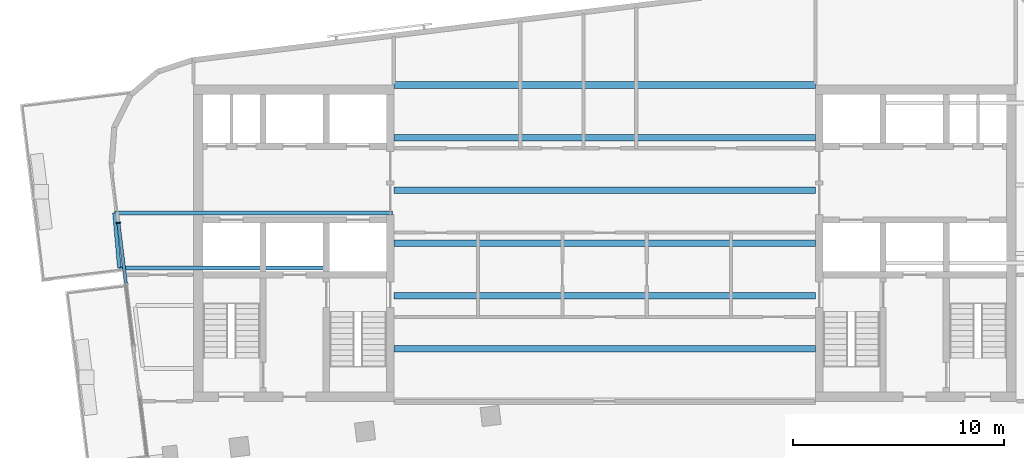
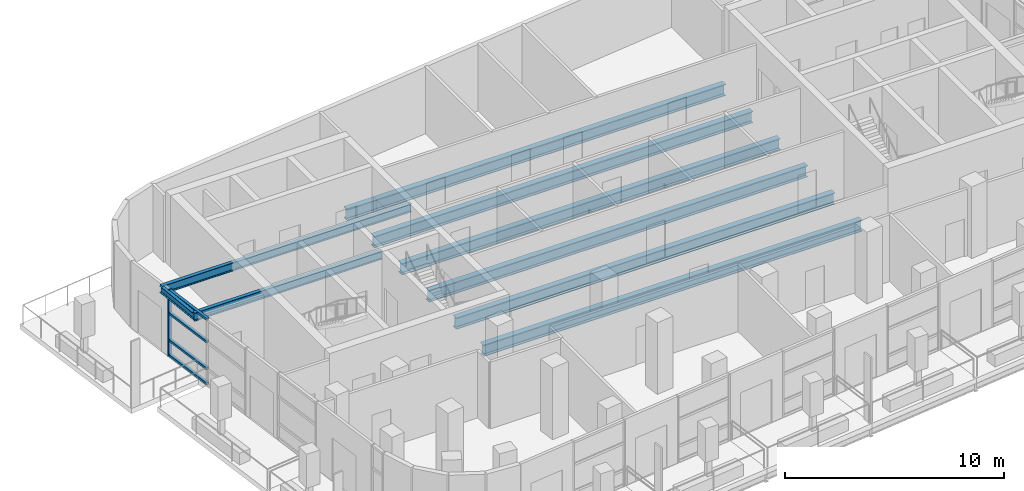
# One storey, part 3 of 14: 9 beams, 5 members, 1 element without a shape of its own.
"""IFC4 building model written with IfcOpenShell, lengths in metres."""

from ifc_helpers import new_model, si_unit, direction, frame, origin, origin_2d, place, context, subcontext, project, spatial, rectangle, i_section, extrude, material, layer, layer_set, material_profile, profile_set, type_object, element, aggregate, save


model = new_model("IFC4")

# Units and contexts
model_context = context("Model", 3, precision=1e-05, world=origin(), true_north=direction((0.0, 1.0)))
body_context = subcontext(model_context, "Body", "Model", "MODEL_VIEW")
ifc_project = project(units=[si_unit("LENGTHUNIT", "METRE"), si_unit("AREAUNIT", "SQUARE_METRE"), si_unit("VOLUMEUNIT", "CUBIC_METRE"), si_unit("PLANEANGLEUNIT", "RADIAN"), si_unit("MASSUNIT", "GRAM", prefix="KILO")], contexts=[model_context])

# Site, building, storey
site_placement = place(None, origin())
site = spatial("IfcSite", under=ifc_project, at=site_placement, CompositionType="ELEMENT")
building_placement = place(site_placement, origin())
building = spatial("IfcBuilding", under=site, at=building_placement, Name="Torana Hotel and Residences", CompositionType="ELEMENT")
storey_placement = place(building_placement, frame((0.0, 0.0, 338.60009765625)))
storey = spatial("IfcBuildingStorey", under=building, at=storey_placement, Name="L89", CompositionType="ELEMENT", Elevation=338.60009765625)

# Beams
ifc_material_1 = material(Name="Steel S355", Category="steel")
ifc_material_profile_1 = material_profile(ifc_material_1, i_section(OverallWidth=0.19287109375, OverallDepth=0.46728515625, WebThickness=0.011474609375, FlangeThickness=0.01953125, FilletRadius=0.01025390625, at=origin_2d()), Name="457x191x98 UB")
ifc_profile_set_1 = profile_set([ifc_material_profile_1], Name="Steel S355")
beam_type_1 = type_object("IfcBeamType", Name="BALCONY CANTILEVER BEAM 457x191x98 UB", PredefinedType="BEAM", material=ifc_profile_set_1)
beam_1_placement = place(storey_placement, frame((-23.013916015625, -8.669921875, 3.486328125), z_axis=(1.0, 0.0, 0.0), x_axis=(0.0, 1.0, 0.0)))
element("IfcBeam", 1, at=beam_1_placement, inside=storey, type_object=beam_type_1, Name="Balcony cantilever beam", PredefinedType="BEAM", context=body_context, shape_type="SweptSolid", body=[
    extrude(i_section(OverallWidth=0.19287109375, OverallDepth=0.46728515625, WebThickness=0.011474609375, FlangeThickness=0.01953125, FilletRadius=0.01025390625, at=origin_2d()), origin(), (0.0, 0.0, 1.0), 9.913818359375),
])
beam_2_placement = place(storey_placement, frame((-23.2451171875, -6.070068359375, 3.486328125), z_axis=(1.0, 0.0, 0.0), x_axis=(0.0, 1.0, 0.0)))
element("IfcBeam", 2, at=beam_2_placement, inside=storey, type_object=beam_type_1, Name="Balcony cantilever beam", PredefinedType="BEAM", context=body_context, shape_type="SweptSolid", body=[
    extrude(i_section(OverallWidth=0.19287109375, OverallDepth=0.46728515625, WebThickness=0.011474609375, FlangeThickness=0.01953125, FilletRadius=0.01025390625, at=origin_2d()), origin(), (0.0, 0.0, 1.0), 13.195068359375),
])
ifc_material_2 = material(Name="Steel S355", Category="steel")
ifc_material_profile_2 = material_profile(ifc_material_2, i_section(OverallWidth=0.173095703125, OverallDepth=0.36328125, WebThickness=0.009033203125, FlangeThickness=0.015625, FilletRadius=0.01025390625, at=origin_2d()), Name="356x171x67 UB")
ifc_profile_set_2 = profile_set([ifc_material_profile_2], Name="Steel S355")
beam_type_2 = type_object("IfcBeamType", Name="BALCONY TIP BEAM 356x171x67 UB", PredefinedType="BEAM", material=ifc_profile_set_2)
beam_3_placement = place(storey_placement, frame((-23.013916015625, -8.669921875, 3.5380859375), z_axis=(-0.088578973765, 0.99606915694, 0.0), x_axis=(-0.99606915694, -0.088578973765, 0.0)))
element("IfcBeam", 3, at=beam_3_placement, inside=storey, type_object=beam_type_2, Name="Balcony tip beam", PredefinedType="BEAM", context=body_context, shape_type="SweptSolid", body=[
    extrude(i_section(OverallWidth=0.173095703125, OverallDepth=0.36328125, WebThickness=0.009033203125, FlangeThickness=0.015625, FilletRadius=0.01025390625, at=origin_2d()), origin(), (0.0, 0.0, 1.0), 2.610107421875),
])

# Curtain wall, members
ifc_material_3 = material(Name="Dark anodised aluminium", Category="aluminium")
ifc_layer = layer(ifc_material_3, 0.199951171875)
ifc_layer_set = layer_set([ifc_layer], Name="CW3 SKY CLUB UNITISED CURTAIN WALL")
curtain_wall_type = type_object("IfcCurtainWallType", Name="CW3 SKY CLUB UNITISED CURTAIN WALL", PredefinedType="NOTDEFINED", material=ifc_layer_set)
curtain_wall_placement = place(storey_placement, origin())
curtain_wall = element("IfcCurtainWall", 4, at=curtain_wall_placement, inside=storey, type_object=curtain_wall_type, Name="Curtain wall CW3 L89 e0.9-2", PredefinedType="NOTDEFINED")
ifc_material_4 = material(Name="Dark anodised aluminium", Category="aluminium")
ifc_material_profile_3 = material_profile(ifc_material_4, rectangle(XDim=0.199951171875, YDim=0.070068359375, at=origin_2d()), Name="CW3 MULLION 70x200")
ifc_profile_set_3 = profile_set([ifc_material_profile_3], Name="Dark anodised aluminium")
member_type_1 = type_object("IfcMemberType", Name="CW3 MULLION 70x200", PredefinedType="MULLION", material=ifc_profile_set_3)
member_1_placement = place(storey_placement, frame((-23.054931640625, -6.53515625, 0.0), z_axis=(0.0, 0.0, 1.0), x_axis=(0.992545392029, 0.121875529794, 0.0)))
member_1 = element("IfcMember", 5, at=member_1_placement, type_object=member_type_1, Name="CW3 mullion 1", PredefinedType="MULLION", context=body_context, shape_type="SweptSolid", body=[
    extrude(rectangle(XDim=0.199951171875, YDim=0.070068359375, at=origin_2d()), origin(), (0.0, 0.0, 1.0), 3.719970703125),
])
ifc_material_5 = material(Name="Dark anodised aluminium", Category="aluminium")
ifc_material_profile_4 = material_profile(ifc_material_5, rectangle(XDim=0.14990234375, YDim=0.1201171875, at=origin_2d()), Name="CW3 TRANSOM 150x120")
ifc_profile_set_4 = profile_set([ifc_material_profile_4], Name="Dark anodised aluminium")
member_type_2 = type_object("IfcMemberType", Name="CW3 TRANSOM 150x120", PredefinedType="USERDEFINED", material=ifc_profile_set_4)
member_2_placement = place(storey_placement, frame((-23.05078125, -6.56982421875, 0.059814453125), z_axis=(0.121907565708, -0.992541457786, 0.0), x_axis=(0.992541457786, 0.121907565708, 0.0)))
member_2 = element("IfcMember", 6, at=member_2_placement, type_object=member_type_2, Name="CW3 transom 1.1", ObjectType="TRANSOM", PredefinedType="USERDEFINED", context=body_context, shape_type="SweptSolid", body=[
    extrude(rectangle(XDim=0.14990234375, YDim=0.1201171875, at=origin_2d()), origin(), (0.0, 0.0, 1.0), 2.853759765625),
])
member_3_placement = place(storey_placement, frame((-23.05078125, -6.56982421875, 0.89990234375), z_axis=(0.121907565708, -0.992541457786, 0.0), x_axis=(0.992541457786, 0.121907565708, 0.0)))
member_3 = element("IfcMember", 7, at=member_3_placement, type_object=member_type_2, Name="CW3 transom 1.2", ObjectType="TRANSOM", PredefinedType="USERDEFINED", context=body_context, shape_type="SweptSolid", body=[
    extrude(rectangle(XDim=0.14990234375, YDim=0.1201171875, at=origin_2d()), origin(), (0.0, 0.0, 1.0), 2.853759765625),
])
member_4_placement = place(storey_placement, frame((-23.05078125, -6.56982421875, 2.39990234375), z_axis=(0.121907565708, -0.992541457786, 0.0), x_axis=(0.992541457786, 0.121907565708, 0.0)))
member_4 = element("IfcMember", 8, at=member_4_placement, type_object=member_type_2, Name="CW3 transom 1.3", ObjectType="TRANSOM", PredefinedType="USERDEFINED", context=body_context, shape_type="SweptSolid", body=[
    extrude(rectangle(XDim=0.14990234375, YDim=0.1201171875, at=origin_2d()), origin(), (0.0, 0.0, 1.0), 2.853759765625),
])
member_5_placement = place(storey_placement, frame((-23.05078125, -6.56982421875, 3.659912109375), z_axis=(0.121907565708, -0.992541457786, 0.0), x_axis=(0.992541457786, 0.121907565708, 0.0)))
member_5 = element("IfcMember", 9, at=member_5_placement, type_object=member_type_2, Name="CW3 transom 1.4", ObjectType="TRANSOM", PredefinedType="USERDEFINED", context=body_context, shape_type="SweptSolid", body=[
    extrude(rectangle(XDim=0.14990234375, YDim=0.1201171875, at=origin_2d()), origin(), (0.0, 0.0, 1.0), 2.853759765625),
])
aggregate(curtain_wall, [member_1, member_2, member_3, member_4, member_5])

# Beams
ifc_material_6 = material(Name="Steel S355", Category="steel")
ifc_material_profile_5 = material_profile(ifc_material_6, i_section(OverallWidth=0.311279296875, OverallDepth=0.6357421875, WebThickness=0.018310546875, FlangeThickness=0.031494140625, FilletRadius=0.0166015625, at=origin_2d()), Name="610x305x238 UB")
ifc_profile_set_5 = profile_set([ifc_material_profile_5], Name="Steel S355")
beam_type_3 = type_object("IfcBeamType", Name="STEEL GIRDER 610x305x238 UB", PredefinedType="BEAM", material=ifc_profile_set_5)
for number, where, z_axis, x_axis, name in (
    (10, (-10.0, -12.5, -0.597900390625), (1.0, 0.0, 0.0), (0.0, 1.0, 0.0), "Floor girder"),
    (11, (-10.0, -10.0, -0.597900390625), (1.0, 0.0, 0.0), (0.0, 1.0, 0.0), "Floor girder"),
    (12, (-10.0, -7.5, -0.597900390625), (1.0, 0.0, 0.0), (0.0, 1.0, 0.0), "Floor girder"),
    (13, (-10.0, -5.0, -0.597900390625), (1.0, 0.0, 0.0), (0.0, 1.0, 0.0), "Floor girder"),
    (14, (-10.0, -2.5, -0.597900390625), (1.0, 0.0, 0.0), (0.0, 1.0, 0.0), "Floor girder"),
    (15, (-10.0, 0.0, -0.597900390625), (1.0, 0.0, 0.0), (0.0, 1.0, 0.0), "Floor girder"),
):
    element("IfcBeam", number, at=place(storey_placement, frame(where, z_axis=z_axis, x_axis=x_axis)), inside=storey, type_object=beam_type_3, Name=name, PredefinedType="BEAM", context=body_context, shape_type="SweptSolid", body=[
        extrude(i_section(OverallWidth=0.311279296875, OverallDepth=0.6357421875, WebThickness=0.018310546875, FlangeThickness=0.031494140625, FilletRadius=0.0166015625, at=origin_2d()), origin(), (0.0, 0.0, 1.0), 20.0),
    ])

save(model, "model.ifc")
